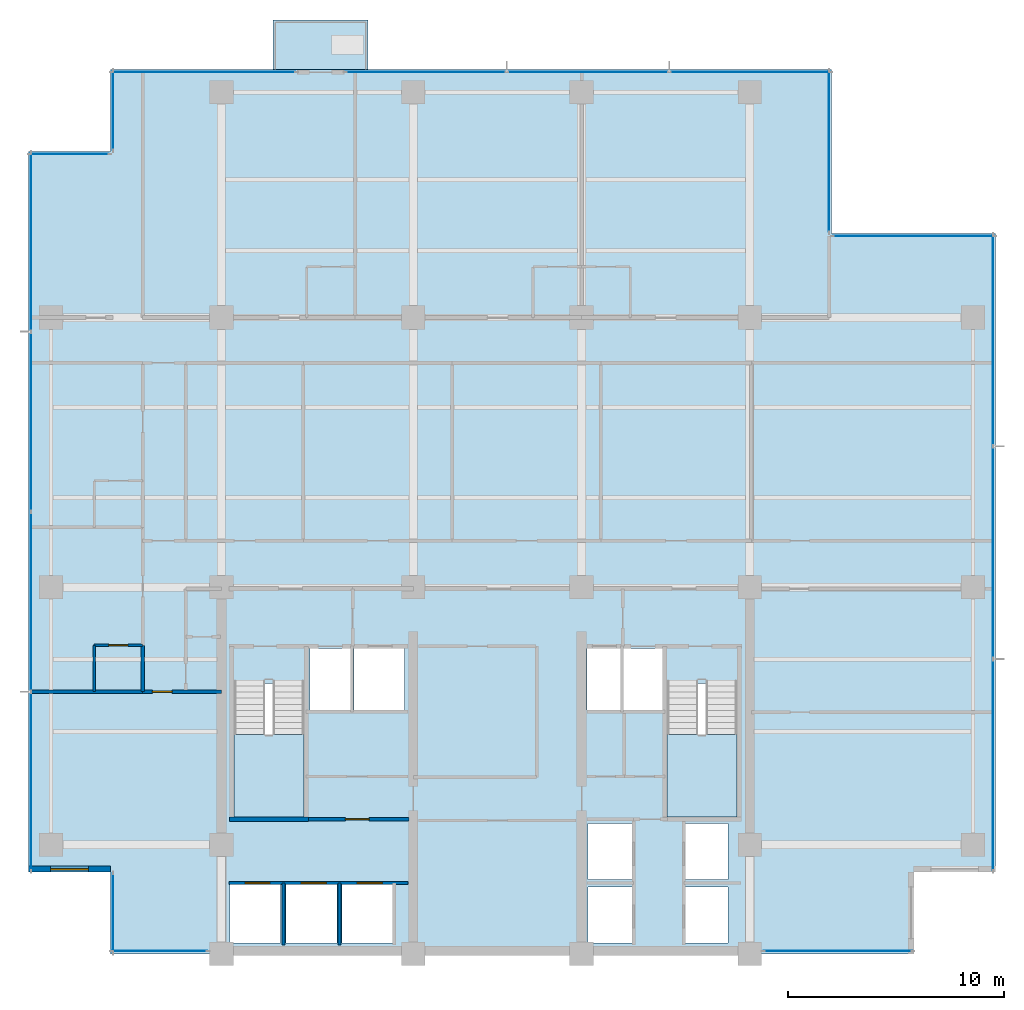
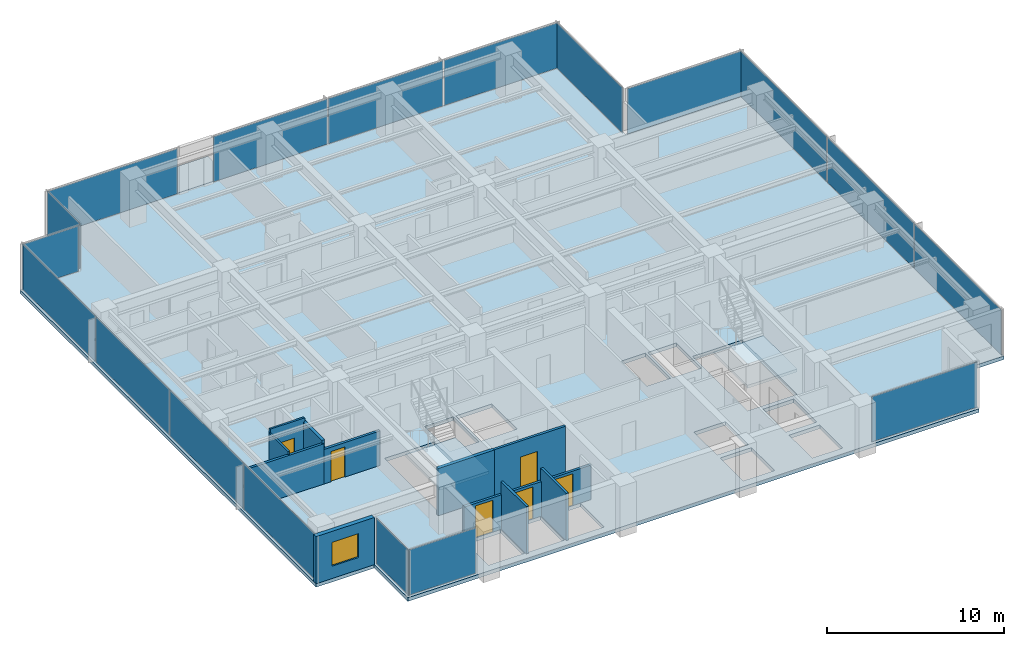
# One storey, part 6 of 14: 18 plates, 11 walls, 6 doors, 4 slabs, 1 window, 7 openings, 13 elements without a shape of their own.
"""IFC4 building model written with IfcOpenShell, lengths in metres."""

from ifc_helpers import new_model, si_unit, direction, frame, frame_2d, origin, origin_2d, place, context, subcontext, project, spatial, polyline, rectangle, outline, extrude, material, layer, layer_set, type_object, element, fill, aggregate, save


model = new_model("IFC4")

# Units and contexts
model_context = context("Model", 3, precision=1e-05, world=origin(), true_north=direction((0.0, 1.0)))
body_context = subcontext(model_context, "Body", "Model", "MODEL_VIEW")
ifc_project = project(units=[si_unit("LENGTHUNIT", "METRE"), si_unit("AREAUNIT", "SQUARE_METRE"), si_unit("VOLUMEUNIT", "CUBIC_METRE"), si_unit("PLANEANGLEUNIT", "RADIAN"), si_unit("MASSUNIT", "GRAM", prefix="KILO")], contexts=[model_context])

# Site, building, storey
site_placement = place(None, origin())
site = spatial("IfcSite", under=ifc_project, at=site_placement, CompositionType="ELEMENT")
building_placement = place(site_placement, origin())
building = spatial("IfcBuilding", under=site, at=building_placement, Name="Qalmaran Belvedere Hotel", CompositionType="ELEMENT")
storey_placement = place(building_placement, frame((0.0, 0.0, 166.60009765625)))
storey = spatial("IfcBuildingStorey", under=building, at=storey_placement, Name="L42", CompositionType="ELEMENT", Elevation=166.60009765625)

# Curtain wall, plate
ifc_material_1 = material(Name="Anodised Bronze Aluminium", Category="aluminium")
ifc_layer_1 = layer(ifc_material_1, 0.195068359375, Name="Anodised Bronze Aluminium")
ifc_layer_set_1 = layer_set([ifc_layer_1], Name="Anodised Bronze Aluminium")
curtain_wall_type = type_object("IfcCurtainWallType", Name="CW4-TOWER-HIGHMID", PredefinedType="NOTDEFINED", material=ifc_layer_set_1)
curtain_wall_1_placement = place(storey_placement, origin())
curtain_wall_1 = element("IfcCurtainWall", 1, at=curtain_wall_1_placement, inside=storey, type_object=curtain_wall_type, Name="L42 Curtain Wall CW4", PredefinedType="NOTDEFINED")
ifc_material_2 = material(Name="Solar-Control Double Glazing", Category="glass")
ifc_layer_2 = layer(ifc_material_2, 0.028076171875, Name="Solar-Control Double Glazing")
ifc_layer_set_2 = layer_set([ifc_layer_2], Name="Solar-Control Double Glazing")
plate_type = type_object("IfcPlateType", Name="CWP-VISION-28", PredefinedType="CURTAIN_PANEL", material=ifc_layer_set_2)
plate_1_placement = place(storey_placement, frame((17.429931640625, 3.6201171875, 0.06494140625), z_axis=(0.0, 0.0, 1.0), x_axis=(1.0, 0.0, 0.0)))
plate_1 = element("IfcPlate", 2, at=plate_1_placement, type_object=plate_type, Name="CW4 panel 1.1", PredefinedType="CURTAIN_PANEL", context=body_context, shape_type="SweptSolid", body=[
    extrude(rectangle(XDim=4.419921875, YDim=0.028076171875, at=origin_2d()), origin(), (0.0, 0.0, 1.0), 3.1201171875),
])
aggregate(curtain_wall_1, [plate_1])

curtain_wall_2_placement = place(storey_placement, origin())
curtain_wall_2 = element("IfcCurtainWall", 3, at=curtain_wall_2_placement, inside=storey, type_object=curtain_wall_type, Name="L42 Curtain Wall CW4", PredefinedType="NOTDEFINED")
plate_2_placement = place(storey_placement, frame((48.89501953125, 3.6201171875, 0.06494140625), z_axis=(0.0, 0.0, 1.0), x_axis=(1.0, 0.0, 0.0)))
plate_2 = element("IfcPlate", 4, at=plate_2_placement, type_object=plate_type, Name="CW4 panel 1.1", PredefinedType="CURTAIN_PANEL", context=body_context, shape_type="SweptSolid", body=[
    extrude(rectangle(XDim=6.8701171875, YDim=0.028076171875, at=origin_2d()), origin(), (0.0, 0.0, 1.0), 3.1201171875),
])
aggregate(curtain_wall_2, [plate_2])

# Curtain wall, plates
curtain_wall_3_placement = place(storey_placement, origin())
curtain_wall_3 = element("IfcCurtainWall", 5, at=curtain_wall_3_placement, inside=storey, type_object=curtain_wall_type, Name="L42 Curtain Wall CW4", PredefinedType="NOTDEFINED")
plate_3_placement = place(storey_placement, frame((56.080078125, 12.250732421875, 0.06494140625), z_axis=(0.0, 0.0, 1.0), x_axis=(0.0, 1.0, 0.0)))
plate_3 = element("IfcPlate", 6, at=plate_3_placement, type_object=plate_type, Name="CW4 panel 1.1", PredefinedType="CURTAIN_PANEL", context=body_context, shape_type="SweptSolid", body=[
    extrude(rectangle(XDim=9.76171875, YDim=0.028076171875, at=origin_2d()), origin(), (0.0, 0.0, 1.0), 3.1201171875),
])
plate_4_placement = place(storey_placement, frame((56.080078125, 22.10009765625, 0.06494140625), z_axis=(0.0, 0.0, 1.0), x_axis=(0.0, 1.0, 0.0)))
plate_4 = element("IfcPlate", 7, at=plate_4_placement, type_object=plate_type, Name="CW4 panel 2.1", PredefinedType="CURTAIN_PANEL", context=body_context, shape_type="SweptSolid", body=[
    extrude(rectangle(XDim=9.796630859375, YDim=0.028076171875, at=origin_2d()), origin(), (0.0, 0.0, 1.0), 3.1201171875),
])
plate_5_placement = place(storey_placement, frame((56.080078125, 31.94921875, 0.06494140625), z_axis=(0.0, 0.0, 1.0), x_axis=(0.0, 1.0, 0.0)))
plate_5 = element("IfcPlate", 8, at=plate_5_placement, type_object=plate_type, Name="CW4 panel 3.1", PredefinedType="CURTAIN_PANEL", context=body_context, shape_type="SweptSolid", body=[
    extrude(rectangle(XDim=9.76171875, YDim=0.028076171875, at=origin_2d()), origin(), (0.0, 0.0, 1.0), 3.1201171875),
])
aggregate(curtain_wall_3, [plate_3, plate_4, plate_5])

# Curtain wall, plate
curtain_wall_4_placement = place(storey_placement, origin())
curtain_wall_4 = element("IfcCurtainWall", 9, at=curtain_wall_4_placement, inside=storey, type_object=curtain_wall_type, Name="L42 Curtain Wall CW4", PredefinedType="NOTDEFINED")
plate_6_placement = place(storey_placement, frame((52.39990234375, 36.780029296875, 0.06494140625), z_axis=(0.0, 0.0, 1.0), x_axis=(-1.0, 0.0, 0.0)))
plate_6 = element("IfcPlate", 10, at=plate_6_placement, type_object=plate_type, Name="CW4 panel 1.1", PredefinedType="CURTAIN_PANEL", context=body_context, shape_type="SweptSolid", body=[
    extrude(rectangle(XDim=7.4599609375, YDim=0.028076171875, at=origin_2d()), origin(), (0.0, 0.0, 1.0), 3.1201171875),
])
aggregate(curtain_wall_4, [plate_6])

curtain_wall_5_placement = place(storey_placement, origin())
curtain_wall_5 = element("IfcCurtainWall", 11, at=curtain_wall_5_placement, inside=storey, type_object=curtain_wall_type, Name="L42 Curtain Wall CW4", PredefinedType="NOTDEFINED")
plate_7_placement = place(storey_placement, frame((48.47998046875, 40.699951171875, 0.06494140625), z_axis=(0.0, 0.0, 1.0), x_axis=(0.0, 1.0, 0.0)))
plate_7 = element("IfcPlate", 12, at=plate_7_placement, type_object=plate_type, Name="CW4 panel 1.1", PredefinedType="CURTAIN_PANEL", context=body_context, shape_type="SweptSolid", body=[
    extrude(rectangle(XDim=7.4599609375, YDim=0.028076171875, at=origin_2d()), origin(), (0.0, 0.0, 1.0), 3.1201171875),
])
aggregate(curtain_wall_5, [plate_7])

curtain_wall_6_placement = place(storey_placement, origin())
curtain_wall_6 = element("IfcCurtainWall", 13, at=curtain_wall_6_placement, inside=storey, type_object=curtain_wall_type, Name="L42 Curtain Wall CW4", PredefinedType="NOTDEFINED")
plate_8_placement = place(storey_placement, frame((19.47509765625, 44.3798828125, 0.06494140625), z_axis=(0.0, 0.0, 1.0), x_axis=(-1.0, 0.0, 0.0)))
plate_8 = element("IfcPlate", 14, at=plate_8_placement, type_object=plate_type, Name="CW4 panel 1.1", PredefinedType="CURTAIN_PANEL", context=body_context, shape_type="SweptSolid", body=[
    extrude(rectangle(XDim=8.510009765625, YDim=0.028076171875, at=origin_2d()), origin(), (0.0, 0.0, 1.0), 3.1201171875),
])
aggregate(curtain_wall_6, [plate_8])

# Curtain wall, plates
curtain_wall_7_placement = place(storey_placement, origin())
curtain_wall_7 = element("IfcCurtainWall", 15, at=curtain_wall_7_placement, inside=storey, type_object=curtain_wall_type, Name="L42 Curtain Wall CW4", PredefinedType="NOTDEFINED")
plate_9_placement = place(storey_placement, frame((44.81591796875, 44.3798828125, 0.06494140625), z_axis=(0.0, 0.0, 1.0), x_axis=(-1.0, 0.0, 0.0)))
plate_9 = element("IfcPlate", 16, at=plate_9_placement, type_object=plate_type, Name="CW4 panel 1.1", PredefinedType="CURTAIN_PANEL", context=body_context, shape_type="SweptSolid", body=[
    extrude(rectangle(XDim=7.42822265625, YDim=0.028076171875, at=origin_2d()), origin(), (0.0, 0.0, 1.0), 3.1201171875),
])
plate_10_placement = place(storey_placement, frame((37.300048828125, 44.3798828125, 0.06494140625), z_axis=(0.0, 0.0, 1.0), x_axis=(-1.0, 0.0, 0.0)))
plate_10 = element("IfcPlate", 17, at=plate_10_placement, type_object=plate_type, Name="CW4 panel 2.1", PredefinedType="CURTAIN_PANEL", context=body_context, shape_type="SweptSolid", body=[
    extrude(rectangle(XDim=7.46337890625, YDim=0.028076171875, at=origin_2d()), origin(), (0.0, 0.0, 1.0), 3.1201171875),
])
plate_11_placement = place(storey_placement, frame((29.7841796875, 44.3798828125, 0.06494140625), z_axis=(0.0, 0.0, 1.0), x_axis=(-1.0, 0.0, 0.0)))
plate_11 = element("IfcPlate", 18, at=plate_11_placement, type_object=plate_type, Name="CW4 panel 3.1", PredefinedType="CURTAIN_PANEL", context=body_context, shape_type="SweptSolid", body=[
    extrude(rectangle(XDim=7.42822265625, YDim=0.028076171875, at=origin_2d()), origin(), (0.0, 0.0, 1.0), 3.1201171875),
])
aggregate(curtain_wall_7, [plate_9, plate_10, plate_11])

# Curtain wall, plate
curtain_wall_8_placement = place(storey_placement, origin())
curtain_wall_8 = element("IfcCurtainWall", 19, at=curtain_wall_8_placement, inside=storey, type_object=curtain_wall_type, Name="L42 Curtain Wall CW4", PredefinedType="NOTDEFINED")
plate_12_placement = place(storey_placement, frame((15.27001953125, 42.60009765625, 0.06494140625), z_axis=(0.0, 0.0, 1.0), x_axis=(0.0, -1.0, 0.0)))
plate_12 = element("IfcPlate", 20, at=plate_12_placement, type_object=plate_type, Name="CW4 panel 1.1", PredefinedType="CURTAIN_PANEL", context=body_context, shape_type="SweptSolid", body=[
    extrude(rectangle(XDim=3.659912109375, YDim=0.028076171875, at=origin_2d()), origin(), (0.0, 0.0, 1.0), 3.1201171875),
])
aggregate(curtain_wall_8, [plate_12])

curtain_wall_9_placement = place(storey_placement, origin())
curtain_wall_9 = element("IfcCurtainWall", 21, at=curtain_wall_9_placement, inside=storey, type_object=curtain_wall_type, Name="L42 Curtain Wall CW4", PredefinedType="NOTDEFINED")
plate_13_placement = place(storey_placement, frame((13.25, 40.580078125, 0.06494140625), z_axis=(0.0, 0.0, 1.0), x_axis=(-1.0, 0.0, 0.0)))
plate_13 = element("IfcPlate", 22, at=plate_13_placement, type_object=plate_type, Name="CW4 panel 1.1", PredefinedType="CURTAIN_PANEL", context=body_context, shape_type="SweptSolid", body=[
    extrude(rectangle(XDim=3.659912109375, YDim=0.028076171875, at=origin_2d()), origin(), (0.0, 0.0, 1.0), 3.1201171875),
])
aggregate(curtain_wall_9, [plate_13])

# Curtain wall, plates
curtain_wall_10_placement = place(storey_placement, origin())
curtain_wall_10 = element("IfcCurtainWall", 23, at=curtain_wall_10_placement, inside=storey, type_object=curtain_wall_type, Name="L42 Curtain Wall CW4", PredefinedType="NOTDEFINED")
plate_14_placement = place(storey_placement, frame((11.469970703125, 36.507568359375, 0.06494140625), z_axis=(0.0, 0.0, 1.0), x_axis=(0.0, -1.0, 0.0)))
plate_14 = element("IfcPlate", 24, at=plate_14_placement, type_object=plate_type, Name="CW4 panel 1.1", PredefinedType="CURTAIN_PANEL", context=body_context, shape_type="SweptSolid", body=[
    extrude(rectangle(XDim=8.2451171875, YDim=0.028076171875, at=origin_2d()), origin(), (0.0, 0.0, 1.0), 3.1201171875),
])
plate_15_placement = place(storey_placement, frame((11.469970703125, 28.175048828125, 0.06494140625), z_axis=(0.0, 0.0, 1.0), x_axis=(0.0, -1.0, 0.0)))
plate_15 = element("IfcPlate", 25, at=plate_15_placement, type_object=plate_type, Name="CW4 panel 2.1", PredefinedType="CURTAIN_PANEL", context=body_context, shape_type="SweptSolid", body=[
    extrude(rectangle(XDim=8.280029296875, YDim=0.028076171875, at=origin_2d()), origin(), (0.0, 0.0, 1.0), 3.1201171875),
])
plate_16_placement = place(storey_placement, frame((11.469970703125, 19.824951171875, 0.06494140625), z_axis=(0.0, 0.0, 1.0), x_axis=(0.0, -1.0, 0.0)))
plate_16 = element("IfcPlate", 26, at=plate_16_placement, type_object=plate_type, Name="CW4 panel 3.1", PredefinedType="CURTAIN_PANEL", context=body_context, shape_type="SweptSolid", body=[
    extrude(rectangle(XDim=8.280029296875, YDim=0.028076171875, at=origin_2d()), origin(), (0.0, 0.0, 1.0), 3.1201171875),
])
plate_17_placement = place(storey_placement, frame((11.469970703125, 11.492431640625, 0.06494140625), z_axis=(0.0, 0.0, 1.0), x_axis=(0.0, -1.0, 0.0)))
plate_17 = element("IfcPlate", 27, at=plate_17_placement, type_object=plate_type, Name="CW4 panel 4.1", PredefinedType="CURTAIN_PANEL", context=body_context, shape_type="SweptSolid", body=[
    extrude(rectangle(XDim=8.2451171875, YDim=0.028076171875, at=origin_2d()), origin(), (0.0, 0.0, 1.0), 3.1201171875),
])
aggregate(curtain_wall_10, [plate_14, plate_15, plate_16, plate_17])

# Curtain wall, plate
curtain_wall_11_placement = place(storey_placement, origin())
curtain_wall_11 = element("IfcCurtainWall", 28, at=curtain_wall_11_placement, inside=storey, type_object=curtain_wall_type, Name="L42 Curtain Wall CW4", PredefinedType="NOTDEFINED")
plate_18_placement = place(storey_placement, frame((15.27001953125, 5.39990234375, 0.06494140625), z_axis=(0.0, 0.0, 1.0), x_axis=(0.0, -1.0, 0.0)))
plate_18 = element("IfcPlate", 29, at=plate_18_placement, type_object=plate_type, Name="CW4 panel 1.1", PredefinedType="CURTAIN_PANEL", context=body_context, shape_type="SweptSolid", body=[
    extrude(rectangle(XDim=3.659912109375, YDim=0.028076171875, at=origin_2d()), origin(), (0.0, 0.0, 1.0), 3.1201171875),
])
aggregate(curtain_wall_11, [plate_18])

# Slab
ifc_material_3 = material(Name="Concrete C40/50", Category="concrete")
ifc_layer_3 = layer(ifc_material_3, 0.219970703125, Name="Concrete C40/50")
ifc_layer_set_3 = layer_set([ifc_layer_3], Name="Concrete C40/50")
slab_type_1 = type_object("IfcSlabType", Name="SLB-BAL-220", PredefinedType="USERDEFINED", material=ifc_layer_set_3)
slab_1_placement = place(storey_placement, frame((0.0, 0.0, -0.22021484375)))
element("IfcSlab", 30, at=slab_1_placement, inside=storey, type_object=slab_type_1, Name="L42 Planted Tree Balcony Slab 1", ObjectType="BALCONY", PredefinedType="USERDEFINED", context=body_context, shape_type="SweptSolid", body=[
    extrude(outline(polyline([(22.699951171875, 44.5), (27.10009765625, 44.5), (27.10009765625, 46.800048828125), (22.699951171875, 46.800048828125), (22.699951171875, 44.5)])), origin(), (0.0, 0.0, 1.0), 0.22021484375),
])

# Stair, slab
stair_type_1 = type_object("IfcStairType", Name="STR-ST-1-1450-R1750", PredefinedType="HALF_TURN_STAIR", material=ifc_material_3)
stair_1_placement = place(storey_placement, origin())
stair_1 = element("IfcStair", 31, at=stair_1_placement, inside=storey, type_object=stair_type_1, Name="L42 West Core Exit Stair ST-1", PredefinedType="HALF_TURN_STAIR")
ifc_layer_4 = layer(ifc_material_3, 0.199951171875, Name="Concrete C40/50")
ifc_layer_set_4 = layer_set([ifc_layer_4], Name="Concrete C40/50")
slab_type_2 = type_object("IfcSlabType", Name="SLB-STAIR-LANDING-200", PredefinedType="LANDING", material=ifc_layer_set_4)
slab_2_placement = place(storey_placement, frame((0.0, 0.0, 1.5498046875)))
slab_2 = element("IfcSlab", 32, at=slab_2_placement, type_object=slab_type_2, Name="ST-1 landing 1", PredefinedType="LANDING", context=body_context, shape_type="SweptSolid", body=[
    extrude(outline(polyline([(20.8798828125, 13.669921875), (20.8798828125, 9.85009765625), (24.1201171875, 9.85009765625), (24.1201171875, 13.669921875), (20.8798828125, 13.669921875)])), origin(), (0.0, 0.0, 1.0), 0.2001953125),
])
aggregate(stair_1, [slab_2])

stair_type_2 = type_object("IfcStairType", Name="STR-ST-2-1450-R1750", PredefinedType="HALF_TURN_STAIR", material=ifc_material_3)
stair_2_placement = place(storey_placement, origin())
stair_2 = element("IfcStair", 33, at=stair_2_placement, inside=storey, type_object=stair_type_2, Name="L42 East Core Exit Stair ST-2", PredefinedType="HALF_TURN_STAIR")
slab_3_placement = place(storey_placement, frame((0.0, 0.0, 1.5498046875)))
slab_3 = element("IfcSlab", 34, at=slab_3_placement, type_object=slab_type_2, Name="ST-2 landing 1", PredefinedType="LANDING", context=body_context, shape_type="SweptSolid", body=[
    extrude(outline(polyline([(40.9599609375, 13.669921875), (40.9599609375, 9.85009765625), (44.199951171875, 9.85009765625), (44.199951171875, 13.669921875), (40.9599609375, 13.669921875)])), origin(), (0.0, 0.0, 1.0), 0.2001953125),
])
aggregate(stair_2, [slab_3])

# Slab
ifc_layer_5 = layer(ifc_material_3, 0.25, Name="Concrete C40/50")
ifc_layer_set_5 = layer_set([ifc_layer_5], Name="Concrete C40/50")
slab_type_3 = type_object("IfcSlabType", Name="SLB-Z3-250", PredefinedType="FLOOR", material=ifc_layer_set_5)
slab_4_placement = place(storey_placement, frame((0.0, 0.0, -0.25)))
element("IfcSlab", 35, at=slab_4_placement, inside=storey, type_object=slab_type_3, Name="L42 Structural Floor Slab", PredefinedType="FLOOR", context=body_context, shape_type="SweptSolid", body=[
    extrude(outline(polyline([(15.14990234375, 3.5), (52.39990234375, 3.5), (52.39990234375, 7.300048828125), (56.199951171875, 7.300048828125), (56.199951171875, 36.89990234375), (48.60009765625, 36.89990234375), (48.60009765625, 44.5), (15.14990234375, 44.5), (15.14990234375, 40.699951171875), (11.35009765625, 40.699951171875), (11.35009765625, 7.300048828125), (15.14990234375, 7.300048828125), (15.14990234375, 3.5)]), holes=[polyline([(20.8798828125, 9.85009765625), (24.1201171875, 9.85009765625), (24.1201171875, 16.0400390625), (20.8798828125, 16.0400390625), (20.8798828125, 9.85009765625)]), polyline([(40.9599609375, 9.85009765625), (44.199951171875, 9.85009765625), (44.199951171875, 16.0400390625), (40.9599609375, 16.0400390625), (40.9599609375, 9.85009765625)]), polyline([(37.300048828125, 4.0), (39.35009765625, 4.0), (39.35009765625, 6.60009765625), (37.300048828125, 6.60009765625), (37.300048828125, 4.0)]), polyline([(37.300048828125, 6.949951171875), (39.35009765625, 6.949951171875), (39.35009765625, 9.550048828125), (37.300048828125, 9.550048828125), (37.300048828125, 6.949951171875)]), polyline([(41.800048828125, 4.0), (43.800048828125, 4.0), (43.800048828125, 6.60009765625), (41.800048828125, 6.60009765625), (41.800048828125, 4.0)]), polyline([(41.800048828125, 6.949951171875), (43.800048828125, 6.949951171875), (43.800048828125, 9.550048828125), (41.800048828125, 9.550048828125), (41.800048828125, 6.949951171875)]), polyline([(20.699951171875, 4.0), (23.050048828125, 4.0), (23.050048828125, 6.699951171875), (20.699951171875, 6.699951171875), (20.699951171875, 4.0)]), polyline([(23.300048828125, 4.0), (25.64990234375, 4.0), (25.64990234375, 6.699951171875), (23.300048828125, 6.699951171875), (23.300048828125, 4.0)]), polyline([(25.89990234375, 4.0), (28.25, 4.0), (28.25, 6.699951171875), (25.89990234375, 6.699951171875), (25.89990234375, 4.0)]), polyline([(24.39990234375, 14.800048828125), (26.300048828125, 14.800048828125), (26.300048828125, 17.64990234375), (24.39990234375, 17.64990234375), (24.39990234375, 14.800048828125)]), polyline([(38.949951171875, 14.800048828125), (40.820068359375, 14.800048828125), (40.820068359375, 17.64990234375), (38.949951171875, 17.64990234375), (38.949951171875, 14.800048828125)]), polyline([(26.449951171875, 14.800048828125), (28.800048828125, 14.800048828125), (28.800048828125, 17.64990234375), (26.449951171875, 17.64990234375), (26.449951171875, 14.800048828125)]), polyline([(37.25, 14.800048828125), (38.800048828125, 14.800048828125), (38.800048828125, 17.64990234375), (37.25, 17.64990234375), (37.25, 14.800048828125)])]), origin(), (0.0, 0.0, 1.0), 0.25),
])

# Wall, opening, window
ifc_material_4 = material(Name="Anodised Bronze Cladding")
ifc_layer_6 = layer(ifc_material_4, 0.280029296875, Name="Anodised Bronze Cladding")
ifc_layer_set_6 = layer_set([ifc_layer_6], Name="Anodised Bronze Cladding")
wall_type_1 = type_object("IfcWallType", Name="WL-EXT-BRNZ-280", PredefinedType="SOLIDWALL", material=ifc_layer_set_6)
wall_1_placement = place(storey_placement, frame((11.35009765625, 7.419921875, 0.0), z_axis=(0.0, 0.0, 1.0), x_axis=(1.0, 0.0, 0.0)))
wall_1 = element("IfcWall", 36, at=wall_1_placement, inside=storey, type_object=wall_type_1, Name="L42 Corner Notch Wall 10", PredefinedType="SOLIDWALL", context=body_context, shape_type="SweptSolid", body=[
    extrude(rectangle(XDim=3.7998046875, YDim=0.280029296875, at=frame_2d((1.89990234375, 0.0))), origin(), (0.0, 0.0, 1.0), 3.25),
])
opening_1_placement = place(wall_1_placement, frame((1.02490234375, 0.0, 0.85009765625)))
opening_1 = element("IfcOpeningElement", 37, at=opening_1_placement, cuts=wall_1, Name="Opening W-N17", PredefinedType="OPENING", context=body_context, shape_type="SweptSolid", body=[
    extrude(rectangle(XDim=1.75, YDim=1.64990234375, at=frame_2d((0.875, 0.824951171875))), frame((0.0, 0.14990234375, 0.0), z_axis=(0.0, -1.0, 0.0), x_axis=(1.0, 0.0, 0.0)), (0.0, 0.0, 1.0), 0.300048828125),
])
window_type = type_object("IfcWindowType", Name="WN-NTC-1750X1650", PartitioningType="SINGLE_PANEL", PredefinedType="WINDOW", material=ifc_material_2)
window_placement = place(opening_1_placement, origin())
window = element("IfcWindow", 38, at=window_placement, inside=storey, type_object=window_type, Name="L42 Corner Notch Window 10", OverallHeight=1.64990234375, OverallWidth=1.75, PartitioningType="SINGLE_PANEL", PredefinedType="WINDOW", context=body_context, shape_type="SweptSolid", body=[
    extrude(rectangle(XDim=1.75, YDim=1.64990234375, at=frame_2d((0.875, 0.824951171875))), frame((0.0, 0.030029296875, 0.0), z_axis=(0.0, -1.0, 0.0), x_axis=(1.0, 0.0, 0.0)), (0.0, 0.0, 1.0), 0.06005859375),
])
fill(opening_1, window)

# Wall, opening, door
ifc_material_5 = material(Name="Moisture-Resistant Gypsum")
ifc_layer_7 = layer(ifc_material_5, 0.1201171875, Name="Moisture-Resistant Gypsum")
ifc_layer_set_7 = layer_set([ifc_layer_7], Name="Moisture-Resistant Gypsum")
wall_type_2 = type_object("IfcWallType", Name="WL-INT-120-BATH", PredefinedType="PARTITIONING", material=ifc_layer_set_7)
wall_2_placement = place(storey_placement, frame((14.39990234375, 17.800048828125, 0.0), z_axis=(0.0, 0.0, 1.0), x_axis=(1.0, 0.0, 0.0)))
wall_2 = element("IfcWall", 39, at=wall_2_placement, inside=storey, type_object=wall_type_2, Name="L42 Partition WL-L42-WBN00", PredefinedType="PARTITIONING", context=body_context, shape_type="SweptSolid", body=[
    extrude(rectangle(XDim=2.25, YDim=0.1201171875, at=frame_2d((1.125, 0.0))), origin(), (0.0, 0.0, 1.0), 3.25),
])
opening_2_placement = place(wall_2_placement, frame((1.56494140625, 0.0, 0.0), z_axis=(0.0, 0.0, 1.0), x_axis=(-1.0, 0.0, 0.0)))
opening_2 = element("IfcOpeningElement", 40, at=opening_2_placement, cuts=wall_2, Name="Opening D-BATH", PredefinedType="OPENING", context=body_context, shape_type="SweptSolid", body=[
    extrude(rectangle(XDim=0.8798828125, YDim=2.080078125, at=frame_2d((0.43994140625, 1.0400390625))), frame((0.0, 0.070068359375, 0.0), z_axis=(0.0, -1.0, 0.0), x_axis=(1.0, 0.0, 0.0)), (0.0, 0.0, 1.0), 0.14013671875),
])
ifc_material_6 = material(Name="Engineered Oak Veneer")
door_type_1 = type_object("IfcDoorType", Name="DR-INT-BATH-880X2080", OperationType="NOTDEFINED", PredefinedType="DOOR", material=ifc_material_6)
door_1_placement = place(opening_2_placement, origin())
door_1 = element("IfcDoor", 41, at=door_1_placement, inside=storey, type_object=door_type_1, Name="L42 W Ensuite Door 01", OperationType="SINGLE_SWING_RIGHT", OverallHeight=2.080078125, OverallWidth=0.8798828125, PredefinedType="DOOR", context=body_context, shape_type="SweptSolid", body=[
    extrude(rectangle(XDim=0.8798828125, YDim=2.080078125, at=frame_2d((0.43994140625, 1.0400390625))), frame((0.0, 0.02490234375, 0.0), z_axis=(0.0, -1.0, 0.0), x_axis=(1.0, 0.0, 0.0)), (0.0, 0.0, 1.0), 0.050048828125),
])
fill(opening_2, door_1)

# Walls
wall_3_placement = place(storey_placement, frame((14.39990234375, 15.64990234375, 0.0), z_axis=(0.0, 0.0, 1.0), x_axis=(0.0, 1.0, 0.0)))
element("IfcWall", 42, at=wall_3_placement, inside=storey, type_object=wall_type_2, Name="L42 Partition WL-L42-WBS00", PredefinedType="PARTITIONING", context=body_context, shape_type="SweptSolid", body=[
    extrude(rectangle(XDim=2.150146484375, YDim=0.1201171875, at=frame_2d((1.0751953125, 0.0))), origin(), (0.0, 0.0, 1.0), 2.98779296875),
])
ifc_material_7 = material(Name="Gypsum Stud Partition")
ifc_layer_8 = layer(ifc_material_7, 0.14990234375, Name="Gypsum Stud Partition")
ifc_layer_set_8 = layer_set([ifc_layer_8], Name="Gypsum Stud Partition")
wall_type_3 = type_object("IfcWallType", Name="WL-INT-150-EI120", PredefinedType="PARTITIONING", material=ifc_layer_set_8)
for number, where, z_axis, x_axis, name in (
    (43, (23.179931640625, 3.89990234375, 0.0), (0.0, 0.0, 1.0), (0.0, 1.0, 0.0), "L42 Partition WL-POM1-L42"),
    (44, (25.780029296875, 3.89990234375, 0.0), (0.0, 0.0, 1.0), (0.0, 1.0, 0.0), "L42 Partition WL-POM2-L42"),
):
    element("IfcWall", number, at=place(storey_placement, frame(where, z_axis=z_axis, x_axis=x_axis)), inside=storey, type_object=wall_type_3, Name=name, PredefinedType="PARTITIONING", context=body_context, shape_type="SweptSolid", body=[
        extrude(rectangle(XDim=2.880126953125, YDim=0.14990234375, at=frame_2d((1.43994140625, 0.0))), origin(), (0.0, 0.0, 1.0), 3.25),
    ])

# Wall, openings, doors
ifc_layer_9 = layer(ifc_material_7, 0.159912109375, Name="Gypsum Stud Partition")
ifc_layer_set_9 = layer_set([ifc_layer_9], Name="Gypsum Stud Partition")
wall_type_4 = type_object("IfcWallType", Name="WL-INT-160-EI120", PredefinedType="PARTITIONING", material=ifc_layer_set_9)
wall_4_placement = place(storey_placement, frame((20.64990234375, 6.780029296875, 0.0), z_axis=(0.0, 0.0, 1.0), x_axis=(1.0, 0.0, 0.0)))
wall_4 = element("IfcWall", 45, at=wall_4_placement, inside=storey, type_object=wall_type_4, Name="L42 Partition WL-POS-L42", PredefinedType="PARTITIONING", context=body_context, shape_type="SweptSolid", body=[
    extrude(rectangle(XDim=8.300048828125, YDim=0.159912109375, at=frame_2d((4.14990234375, 0.0))), origin(), (0.0, 0.0, 1.0), 2.3798828125),
])
opening_3_placement = place(wall_4_placement, frame((0.75, 0.0, 0.0)))
opening_3 = element("IfcOpeningElement", 46, at=opening_3_placement, cuts=wall_4, Name="Opening LD-PO", PredefinedType="OPENING", context=body_context, shape_type="SweptSolid", body=[
    extrude(rectangle(XDim=1.14990234375, YDim=2.199951171875, at=frame_2d((0.574951171875, 1.10009765625))), frame((0.0, 0.08984375, 0.0), z_axis=(0.0, -1.0, 0.0), x_axis=(1.0, 0.0, 0.0)), (0.0, 0.0, 1.0), 0.179931640625),
])
opening_4_placement = place(wall_4_placement, frame((3.35009765625, 0.0, 0.0)))
opening_4 = element("IfcOpeningElement", 47, at=opening_4_placement, cuts=wall_4, Name="Opening LD-PO", PredefinedType="OPENING", context=body_context, shape_type="SweptSolid", body=[
    extrude(rectangle(XDim=1.14990234375, YDim=2.199951171875, at=frame_2d((0.574951171875, 1.10009765625))), frame((0.0, 0.08984375, 0.0), z_axis=(0.0, -1.0, 0.0), x_axis=(1.0, 0.0, 0.0)), (0.0, 0.0, 1.0), 0.179931640625),
])
opening_5_placement = place(wall_4_placement, frame((5.949951171875, 0.0, 0.0)))
opening_5 = element("IfcOpeningElement", 48, at=opening_5_placement, cuts=wall_4, Name="Opening LD-PO", PredefinedType="OPENING", context=body_context, shape_type="SweptSolid", body=[
    extrude(rectangle(XDim=1.14990234375, YDim=2.199951171875, at=frame_2d((0.574951171875, 1.10009765625))), frame((0.0, 0.08984375, 0.0), z_axis=(0.0, -1.0, 0.0), x_axis=(1.0, 0.0, 0.0)), (0.0, 0.0, 1.0), 0.179931640625),
])
door_type_2 = type_object("IfcDoorType", Name="DR-LIFT-PO-1150X2200", OperationType="DOUBLE_DOOR_SLIDING", PredefinedType="DOOR", material=ifc_material_1)
door_2_placement = place(opening_3_placement, origin())
door_2 = element("IfcDoor", 49, at=door_2_placement, inside=storey, type_object=door_type_2, Name="L42 PO1 Shuttle Landing Door", OperationType="DOUBLE_DOOR_SLIDING", OverallHeight=2.199951171875, OverallWidth=1.14990234375, PredefinedType="DOOR", context=body_context, shape_type="SweptSolid", body=[
    extrude(rectangle(XDim=1.14990234375, YDim=2.199951171875, at=frame_2d((0.574951171875, 1.10009765625))), frame((0.0, 0.02490234375, 0.0), z_axis=(0.0, -1.0, 0.0), x_axis=(1.0, 0.0, 0.0)), (0.0, 0.0, 1.0), 0.050048828125),
])
fill(opening_3, door_2)
door_3_placement = place(opening_4_placement, origin())
door_3 = element("IfcDoor", 50, at=door_3_placement, inside=storey, type_object=door_type_2, Name="L42 PO2 Shuttle Landing Door", OperationType="DOUBLE_DOOR_SLIDING", OverallHeight=2.199951171875, OverallWidth=1.14990234375, PredefinedType="DOOR", context=body_context, shape_type="SweptSolid", body=[
    extrude(rectangle(XDim=1.14990234375, YDim=2.199951171875, at=frame_2d((0.574951171875, 1.10009765625))), frame((0.0, 0.02490234375, 0.0), z_axis=(0.0, -1.0, 0.0), x_axis=(1.0, 0.0, 0.0)), (0.0, 0.0, 1.0), 0.050048828125),
])
fill(opening_4, door_3)
door_4_placement = place(opening_5_placement, origin())
door_4 = element("IfcDoor", 51, at=door_4_placement, inside=storey, type_object=door_type_2, Name="L42 PO3 Shuttle Landing Door", OperationType="DOUBLE_DOOR_SLIDING", OverallHeight=2.199951171875, OverallWidth=1.14990234375, PredefinedType="DOOR", context=body_context, shape_type="SweptSolid", body=[
    extrude(rectangle(XDim=1.14990234375, YDim=2.199951171875, at=frame_2d((0.574951171875, 1.10009765625))), frame((0.0, 0.02490234375, 0.0), z_axis=(0.0, -1.0, 0.0), x_axis=(1.0, 0.0, 0.0)), (0.0, 0.0, 1.0), 0.050048828125),
])
fill(opening_5, door_4)

# Wall, opening, door
wall_5_placement = place(storey_placement, frame((24.199951171875, 9.739990234375, 0.0), z_axis=(0.0, 0.0, 1.0), x_axis=(1.0, 0.0, 0.0)))
wall_5 = element("IfcWall", 52, at=wall_5_placement, inside=storey, type_object=wall_type_4, Name="L42 Partition WL-PON-L42", PredefinedType="PARTITIONING", context=body_context, shape_type="SweptSolid", body=[
    extrude(rectangle(XDim=4.800048828125, YDim=0.159912109375, at=frame_2d((2.39990234375, 0.0))), origin(), (0.0, 0.0, 1.0), 3.25),
])
opening_6_placement = place(wall_5_placement, frame((1.85009765625, 0.0, 0.0)))
opening_6 = element("IfcOpeningElement", 53, at=opening_6_placement, cuts=wall_5, Name="Opening FD90", PredefinedType="OPENING", context=body_context, shape_type="SweptSolid", body=[
    extrude(rectangle(XDim=1.10009765625, YDim=2.14990234375, at=frame_2d((0.550048828125, 1.074951171875))), frame((0.0, 0.08984375, 0.0), z_axis=(0.0, -1.0, 0.0), x_axis=(1.0, 0.0, 0.0)), (0.0, 0.0, 1.0), 0.179931640625),
])
ifc_material_8 = material(Name="Steel S355JR", Category="steel")
door_type_3 = type_object("IfcDoorType", Name="DR-FD90-1100X2150", OperationType="NOTDEFINED", PredefinedType="DOOR", material=ifc_material_8)
door_5_placement = place(opening_6_placement, origin())
door_5 = element("IfcDoor", 54, at=door_5_placement, inside=storey, type_object=door_type_3, Name="L42 Shuttle Lobby Passage Door", OperationType="SINGLE_SWING_LEFT", OverallHeight=2.14990234375, OverallWidth=1.10009765625, PredefinedType="DOOR", context=body_context, shape_type="SweptSolid", body=[
    extrude(rectangle(XDim=1.10009765625, YDim=2.14990234375, at=frame_2d((0.550048828125, 1.074951171875))), frame((0.0, 0.02490234375, 0.0), z_axis=(0.0, -1.0, 0.0), x_axis=(1.0, 0.0, 0.0)), (0.0, 0.0, 1.0), 0.050048828125),
])
fill(opening_6, door_5)

ifc_layer_10 = layer(ifc_material_7, 0.159912109375, Name="Gypsum Stud Partition")
ifc_layer_set_10 = layer_set([ifc_layer_10], Name="Gypsum Stud Partition")
wall_type_5 = type_object("IfcWallType", Name="WL-INT-160-EI60", PredefinedType="PARTITIONING", material=ifc_layer_set_10)
wall_6_placement = place(storey_placement, frame((16.64990234375, 15.64990234375, 0.0), z_axis=(0.0, 0.0, 1.0), x_axis=(1.0, 0.0, 0.0)))
wall_6 = element("IfcWall", 55, at=wall_6_placement, inside=storey, type_object=wall_type_5, Name="L42 Partition WL-L42-SWRL", PredefinedType="PARTITIONING", context=body_context, shape_type="SweptSolid", body=[
    extrude(rectangle(XDim=3.650146484375, YDim=0.159912109375, at=frame_2d((1.8251953125, 0.0))), origin(), (0.0, 0.0, 1.0), 2.3798828125),
])
opening_7_placement = place(wall_6_placement, frame((1.369873046875, 0.0, 0.0), z_axis=(0.0, 0.0, 1.0), x_axis=(-1.0, 0.0, 0.0)))
opening_7 = element("IfcOpeningElement", 56, at=opening_7_placement, cuts=wall_6, Name="Opening FD60S1", PredefinedType="OPENING", context=body_context, shape_type="SweptSolid", body=[
    extrude(rectangle(XDim=0.919921875, YDim=2.080078125, at=frame_2d((0.4599609375, 1.0400390625))), frame((0.0, 0.08984375, 0.0), z_axis=(0.0, -1.0, 0.0), x_axis=(1.0, 0.0, 0.0)), (0.0, 0.0, 1.0), 0.179931640625),
])
door_type_4 = type_object("IfcDoorType", Name="DR-FD60S-920X2080", OperationType="NOTDEFINED", PredefinedType="DOOR", material=ifc_material_6)
door_6_placement = place(opening_7_placement, origin())
door_6 = element("IfcDoor", 57, at=door_6_placement, inside=storey, type_object=door_type_4, Name="L42 SW Study Door", OperationType="SINGLE_SWING_RIGHT", OverallHeight=2.080078125, OverallWidth=0.919921875, PredefinedType="DOOR", context=body_context, shape_type="SweptSolid", body=[
    extrude(rectangle(XDim=0.919921875, YDim=2.080078125, at=frame_2d((0.4599609375, 1.0400390625))), frame((0.0, 0.02490234375, 0.0), z_axis=(0.0, -1.0, 0.0), x_axis=(1.0, 0.0, 0.0)), (0.0, 0.0, 1.0), 0.050048828125),
])
fill(opening_7, door_6)

# Walls
wall_7_placement = place(storey_placement, frame((11.469970703125, 15.64990234375, 0.0), z_axis=(0.0, 0.0, 1.0), x_axis=(1.0, 0.0, 0.0)))
element("IfcWall", 58, at=wall_7_placement, inside=storey, type_object=wall_type_5, Name="L42 Partition WL-L42-WBOT", PredefinedType="PARTITIONING", context=body_context, shape_type="SweptSolid", body=[
    extrude(rectangle(XDim=5.179931640625, YDim=0.159912109375, at=frame_2d((2.58984375, 0.0))), origin(), (0.0, 0.0, 1.0), 2.77197265625),
])
ifc_layer_11 = layer(ifc_material_7, 0.179931640625, Name="Gypsum Stud Partition")
ifc_layer_set_11 = layer_set([ifc_layer_11], Name="Gypsum Stud Partition")
wall_type_6 = type_object("IfcWallType", Name="WL-INT-180-EI60", PredefinedType="PARTITIONING", material=ifc_layer_set_11)
wall_8_placement = place(storey_placement, frame((16.64990234375, 15.64990234375, 0.0), z_axis=(0.0, 0.0, 1.0), x_axis=(0.0, 1.0, 0.0)))
element("IfcWall", 59, at=wall_8_placement, inside=storey, type_object=wall_type_6, Name="L42 Partition WL-L42-WBC00", PredefinedType="PARTITIONING", context=body_context, shape_type="SweptSolid", body=[
    extrude(rectangle(XDim=2.150146484375, YDim=0.179931640625, at=frame_2d((1.0751953125, 0.0))), origin(), (0.0, 0.0, 1.0), 2.98779296875),
])
ifc_material_9 = material(Name="Concrete C50/60", Category="concrete")
ifc_layer_12 = layer(ifc_material_9, 0.2099609375, Name="Concrete C50/60")
ifc_layer_set_12 = layer_set([ifc_layer_12], Name="Concrete C50/60")
wall_type_7 = type_object("IfcWallType", Name="WL-STAIR-210-C50", PredefinedType="SHEAR", material=ifc_layer_set_12)
wall_9_placement = place(storey_placement, frame((20.669921875, 9.7451171875, 0.0), z_axis=(0.0, 0.0, 1.0), x_axis=(1.0, 0.0, 0.0)))
element("IfcWall", 60, at=wall_9_placement, inside=storey, type_object=wall_type_7, Name="L42 Stair ST-1 South Bearing Wall", PredefinedType="SHEAR", context=body_context, shape_type="SweptSolid", body=[
    extrude(rectangle(XDim=3.66015625, YDim=0.2099609375, at=frame_2d((1.830078125, 0.0))), origin(), (0.0, 0.0, 1.0), 3.25),
])

save(model, "model.ifc")
